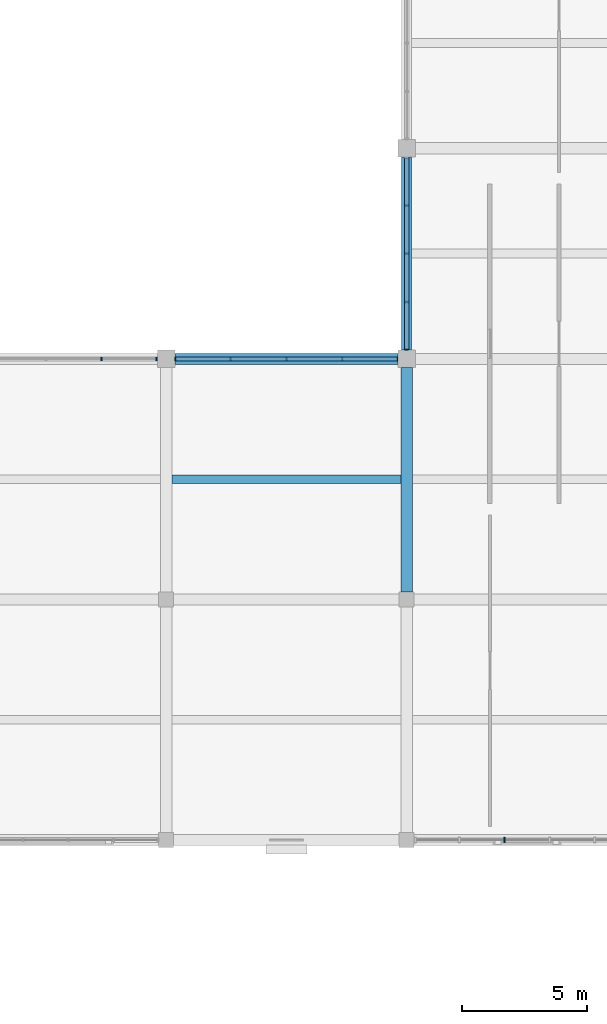
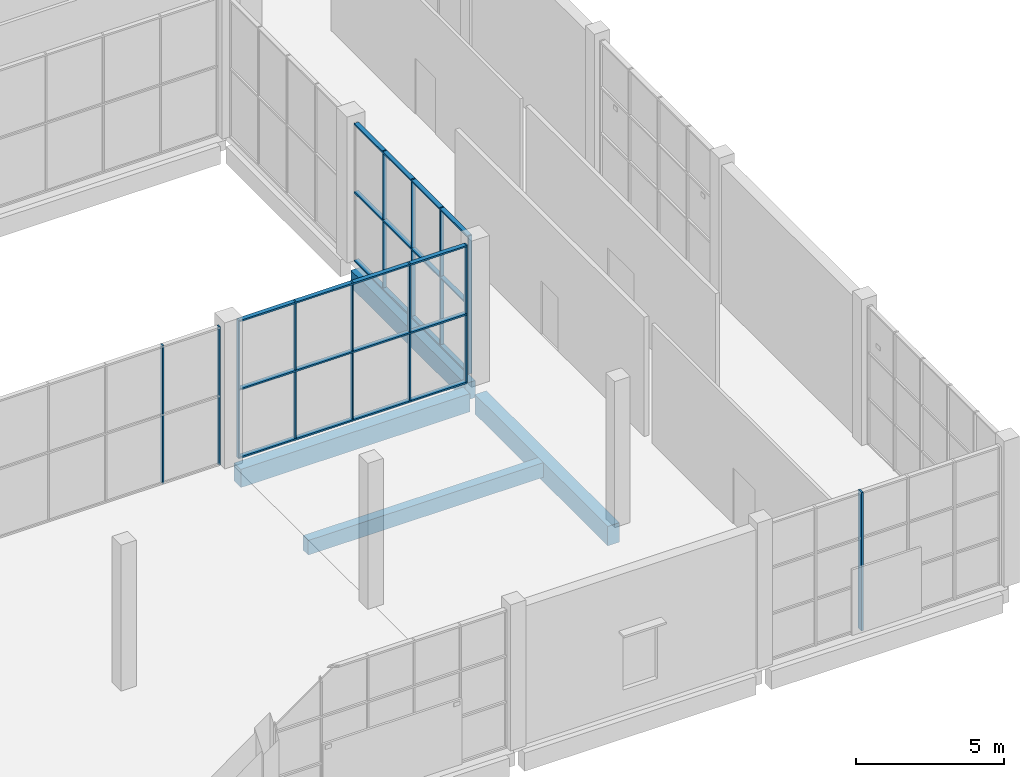
# One storey, part 20 of 84: 18 members, 4 beams, 4 elements without a shape of their own.
"""IFC4 building model written with IfcOpenShell, lengths in metres."""

from ifc_helpers import new_model, si_unit, direction, frame, origin, origin_2d, place, context, subcontext, project, spatial, rectangle, extrude, material, material_profile, profile_set, type_object, element, aggregate, save


model = new_model("IFC4")

# Units and contexts
model_context = context("Model", 3, precision=1e-05, world=origin(), true_north=direction((0.0, 1.0)))
body_context = subcontext(model_context, "Body", "Model", "MODEL_VIEW")
ifc_project = project(units=[si_unit("LENGTHUNIT", "METRE"), si_unit("AREAUNIT", "SQUARE_METRE"), si_unit("VOLUMEUNIT", "CUBIC_METRE"), si_unit("PLANEANGLEUNIT", "RADIAN"), si_unit("MASSUNIT", "GRAM", prefix="KILO")], contexts=[model_context])

# Site, building, storey
site_placement = place(None, origin())
site = spatial("IfcSite", under=ifc_project, at=site_placement, CompositionType="ELEMENT")
building_placement = place(site_placement, origin())
building = spatial("IfcBuilding", under=site, at=building_placement, Name="Shalvenor Court Art Gallery", CompositionType="ELEMENT")
storey_placement = place(building_placement, origin())
storey = spatial("IfcBuildingStorey", under=building, at=storey_placement, Name="L00", CompositionType="ELEMENT", Elevation=0.0)

# Beams
ifc_material_1 = material(Name="Concrete C40/50", Category="concrete")
ifc_material_profile_1 = material_profile(ifc_material_1, rectangle(XDim=0.449951171875, YDim=0.800048828125, at=origin_2d()), Name="RC 450x800")
ifc_profile_set_1 = profile_set([ifc_material_profile_1], Name="Concrete C40/50")
beam_type_1 = type_object("IfcBeamType", Name="B-03", PredefinedType="BEAM", material=ifc_profile_set_1)
beam_1_placement = place(storey_placement, frame((28.800048828125, 79.5, -0.739990234375), z_axis=(0.0, 1.0, 0.0), x_axis=(-1.0, 0.0, 0.0)))
element("IfcBeam", 1, at=beam_1_placement, inside=storey, type_object=beam_type_1, Name="L00 Girder BM-L00-B-03-0027", PredefinedType="BEAM", context=body_context, shape_type="SweptSolid", body=[
    extrude(rectangle(XDim=0.449951171875, YDim=0.800048828125, at=origin_2d()), origin(), (0.0, 0.0, 1.0), 8.949951171875),
])
ifc_material_2 = material(Name="Concrete C40/50", Category="concrete")
ifc_material_profile_2 = material_profile(ifc_material_2, rectangle(XDim=0.449951171875, YDim=0.75, at=origin_2d()), Name="RC 450x750")
ifc_profile_set_2 = profile_set([ifc_material_profile_2], Name="Concrete C40/50")
beam_type_2 = type_object("IfcBeamType", Name="B-04", PredefinedType="BEAM", material=ifc_profile_set_2)
beam_2_placement = place(storey_placement, frame((19.550048828125, 88.800048828125, -0.715087890625), z_axis=(1.0, 0.0, 0.0), x_axis=(0.0, 1.0, 0.0)))
element("IfcBeam", 2, at=beam_2_placement, inside=storey, type_object=beam_type_2, Name="L00 Girder BM-L00-B-04-0230", PredefinedType="BEAM", context=body_context, shape_type="SweptSolid", body=[
    extrude(rectangle(XDim=0.449951171875, YDim=0.75, at=origin_2d()), origin(), (0.0, 0.0, 1.0), 8.89990234375),
])
ifc_material_3 = material(Name="Concrete C40/50", Category="concrete")
ifc_material_profile_3 = material_profile(ifc_material_3, rectangle(XDim=0.39990234375, YDim=0.699951171875, at=origin_2d()), Name="RC 400x700")
ifc_profile_set_3 = profile_set([ifc_material_profile_3], Name="Concrete C40/50")
beam_type_3 = type_object("IfcBeamType", Name="B-05", PredefinedType="BEAM", material=ifc_profile_set_3)
beam_3_placement = place(storey_placement, frame((28.800048828125, 89.14990234375, -0.68994140625), z_axis=(0.0, 1.0, 0.0), x_axis=(-1.0, 0.0, 0.0)))
element("IfcBeam", 3, at=beam_3_placement, inside=storey, type_object=beam_type_3, Name="L00 Girder BM-L00-B-05-0028", PredefinedType="BEAM", context=body_context, shape_type="SweptSolid", body=[
    extrude(rectangle(XDim=0.39990234375, YDim=0.699951171875, at=origin_2d()), origin(), (0.0, 0.0, 1.0), 7.7001953125),
])

# Curtain wall, member
ifc_material_4 = material(Name="Anodised aluminium and low-iron glass curtain wall", Category="aluminium")
curtain_wall_type_1 = type_object("IfcCurtainWallType", Name="CW-5x3-90-57-421", PredefinedType="USERDEFINED", material=ifc_material_4)
curtain_wall_1_placement = place(storey_placement, origin())
curtain_wall_1 = element("IfcCurtainWall", 4, at=curtain_wall_1_placement, inside=storey, type_object=curtain_wall_type_1, Name="L00 V5 Curtain Wall CW-L00-154", ObjectType="CURTAIN WALL", PredefinedType="USERDEFINED")
ifc_material_5 = material(Name="Anodised aluminium mullion", Category="aluminium")
ifc_material_profile_4 = material_profile(ifc_material_5, rectangle(XDim=0.074951171875, YDim=0.219970703125, at=origin_2d()), Name="CWM-04")
ifc_profile_set_4 = profile_set([ifc_material_profile_4], Name="Anodised aluminium mullion")
member_type_1 = type_object("IfcMemberType", Name="CWM-04", PredefinedType="MULLION", material=ifc_profile_set_4)
member_1_placement = place(storey_placement, frame((32.699951171875, 69.60009765625, 0.0), z_axis=(0.0, 0.0, 1.0), x_axis=(-1.0, 0.0, 0.0)))
member_1 = element("IfcMember", 5, at=member_1_placement, type_object=member_type_1, Name="CW-5x3-90-57-421 mullion 4", PredefinedType="MULLION", context=body_context, shape_type="SweptSolid", body=[
    extrude(rectangle(XDim=0.074951171875, YDim=0.219970703125, at=origin_2d()), origin(), (0.0, 0.0, 1.0), 5.679931640625),
])
aggregate(curtain_wall_1, [member_1])

# Curtain wall, members
ifc_material_6 = material(Name="Anodised aluminium and low-iron glass curtain wall", Category="aluminium")
curtain_wall_type_2 = type_object("IfcCurtainWallType", Name="CW-CT-4-89", PredefinedType="USERDEFINED", material=ifc_material_6)
curtain_wall_2_placement = place(storey_placement, origin())
curtain_wall_2 = element("IfcCurtainWall", 6, at=curtain_wall_2_placement, inside=storey, type_object=curtain_wall_type_2, Name="L00 Studios Courtyard Curtain Wall CW-CRT-L00-159", ObjectType="CURTAIN WALL", PredefinedType="USERDEFINED")
ifc_material_7 = material(Name="Anodised aluminium mullion", Category="aluminium")
ifc_material_profile_5 = material_profile(ifc_material_7, rectangle(XDim=0.054931640625, YDim=0.139892578125, at=origin_2d()), Name="CWM-06")
ifc_profile_set_5 = profile_set([ifc_material_profile_5], Name="Anodised aluminium mullion")
member_type_2 = type_object("IfcMemberType", Name="CWM-06", PredefinedType="MULLION", material=ifc_profile_set_5)
member_2_placement = place(storey_placement, frame((16.625, 88.800048828125, 0.0), z_axis=(0.0, 0.0, 1.0), x_axis=(1.0, 0.0, 0.0)))
member_2 = element("IfcMember", 7, at=member_2_placement, type_object=member_type_2, Name="CW-CT-4-89 mullion 4", PredefinedType="MULLION", context=body_context, shape_type="SweptSolid", body=[
    extrude(rectangle(XDim=0.054931640625, YDim=0.139892578125, at=origin_2d()), origin(), (0.0, 0.0, 1.0), 5.679931640625),
])
member_3_placement = place(storey_placement, frame((18.822509765625, 88.800048828125, 0.0), z_axis=(0.0, 0.0, 1.0), x_axis=(1.0, 0.0, 0.0)))
member_3 = element("IfcMember", 8, at=member_3_placement, type_object=member_type_2, Name="CW-CT-4-89 mullion 5", PredefinedType="MULLION", context=body_context, shape_type="SweptSolid", body=[
    extrude(rectangle(XDim=0.054931640625, YDim=0.139892578125, at=origin_2d()), origin(), (0.0, 0.0, 1.0), 5.679931640625),
])
aggregate(curtain_wall_2, [member_2, member_3])

curtain_wall_3_placement = place(storey_placement, origin())
curtain_wall_3 = element("IfcCurtainWall", 9, at=curtain_wall_3_placement, inside=storey, type_object=curtain_wall_type_2, Name="L00 Studios Courtyard Curtain Wall CW-CRT-L00-160", ObjectType="CURTAIN WALL", PredefinedType="USERDEFINED")
member_4_placement = place(storey_placement, frame((19.577392578125, 88.800048828125, 0.0), z_axis=(0.0, 0.0, 1.0), x_axis=(1.0, 0.0, 0.0)))
member_4 = element("IfcMember", 10, at=member_4_placement, type_object=member_type_2, Name="CW-CT-4-89 mullion 1", PredefinedType="MULLION", context=body_context, shape_type="SweptSolid", body=[
    extrude(rectangle(XDim=0.054931640625, YDim=0.139892578125, at=origin_2d()), origin(), (0.0, 0.0, 1.0), 5.679931640625),
])
member_5_placement = place(storey_placement, frame((21.77490234375, 88.800048828125, 0.0), z_axis=(0.0, 0.0, 1.0), x_axis=(1.0, 0.0, 0.0)))
member_5 = element("IfcMember", 11, at=member_5_placement, type_object=member_type_2, Name="CW-CT-4-89 mullion 2", PredefinedType="MULLION", context=body_context, shape_type="SweptSolid", body=[
    extrude(rectangle(XDim=0.054931640625, YDim=0.139892578125, at=origin_2d()), origin(), (0.0, 0.0, 1.0), 5.679931640625),
])
member_6_placement = place(storey_placement, frame((24.0, 88.800048828125, 0.0), z_axis=(0.0, 0.0, 1.0), x_axis=(1.0, 0.0, 0.0)))
member_6 = element("IfcMember", 12, at=member_6_placement, type_object=member_type_2, Name="CW-CT-4-89 mullion 3", PredefinedType="MULLION", context=body_context, shape_type="SweptSolid", body=[
    extrude(rectangle(XDim=0.054931640625, YDim=0.139892578125, at=origin_2d()), origin(), (0.0, 0.0, 1.0), 5.679931640625),
])
member_7_placement = place(storey_placement, frame((26.22509765625, 88.800048828125, 0.0), z_axis=(0.0, 0.0, 1.0), x_axis=(1.0, 0.0, 0.0)))
member_7 = element("IfcMember", 13, at=member_7_placement, type_object=member_type_2, Name="CW-CT-4-89 mullion 4", PredefinedType="MULLION", context=body_context, shape_type="SweptSolid", body=[
    extrude(rectangle(XDim=0.054931640625, YDim=0.139892578125, at=origin_2d()), origin(), (0.0, 0.0, 1.0), 5.679931640625),
])
member_8_placement = place(storey_placement, frame((28.422607421875, 88.800048828125, 0.0), z_axis=(0.0, 0.0, 1.0), x_axis=(1.0, 0.0, 0.0)))
member_8 = element("IfcMember", 14, at=member_8_placement, type_object=member_type_2, Name="CW-CT-4-89 mullion 5", PredefinedType="MULLION", context=body_context, shape_type="SweptSolid", body=[
    extrude(rectangle(XDim=0.054931640625, YDim=0.139892578125, at=origin_2d()), origin(), (0.0, 0.0, 1.0), 5.679931640625),
])

ifc_material_8 = material(Name="Anodised aluminium and low-iron glass curtain wall", Category="aluminium")
curtain_wall_type_3 = type_object("IfcCurtainWallType", Name="CW-CT-4-77", PredefinedType="USERDEFINED", material=ifc_material_8)
curtain_wall_4_placement = place(storey_placement, origin())
curtain_wall_4 = element("IfcCurtainWall", 15, at=curtain_wall_4_placement, inside=storey, type_object=curtain_wall_type_3, Name="L00 Studios Courtyard Curtain Wall CW-CRT-L00-161", ObjectType="CURTAIN WALL", PredefinedType="USERDEFINED")
member_9_placement = place(storey_placement, frame((28.800048828125, 89.177490234375, 0.0), z_axis=(0.0, 0.0, 1.0), x_axis=(0.0, 1.0, 0.0)))
member_9 = element("IfcMember", 16, at=member_9_placement, type_object=member_type_2, Name="CW-CT-4-77 mullion 1", PredefinedType="MULLION", context=body_context, shape_type="SweptSolid", body=[
    extrude(rectangle(XDim=0.054931640625, YDim=0.139892578125, at=origin_2d()), origin(), (0.0, 0.0, 1.0), 5.679931640625),
])
member_10_placement = place(storey_placement, frame((28.800048828125, 91.074951171875, 0.0), z_axis=(0.0, 0.0, 1.0), x_axis=(0.0, 1.0, 0.0)))
member_10 = element("IfcMember", 17, at=member_10_placement, type_object=member_type_2, Name="CW-CT-4-77 mullion 2", PredefinedType="MULLION", context=body_context, shape_type="SweptSolid", body=[
    extrude(rectangle(XDim=0.054931640625, YDim=0.139892578125, at=origin_2d()), origin(), (0.0, 0.0, 1.0), 5.679931640625),
])
member_11_placement = place(storey_placement, frame((28.800048828125, 93.0, 0.0), z_axis=(0.0, 0.0, 1.0), x_axis=(0.0, 1.0, 0.0)))
member_11 = element("IfcMember", 18, at=member_11_placement, type_object=member_type_2, Name="CW-CT-4-77 mullion 3", PredefinedType="MULLION", context=body_context, shape_type="SweptSolid", body=[
    extrude(rectangle(XDim=0.054931640625, YDim=0.139892578125, at=origin_2d()), origin(), (0.0, 0.0, 1.0), 5.679931640625),
])
member_12_placement = place(storey_placement, frame((28.800048828125, 94.925048828125, 0.0), z_axis=(0.0, 0.0, 1.0), x_axis=(0.0, 1.0, 0.0)))
member_12 = element("IfcMember", 19, at=member_12_placement, type_object=member_type_2, Name="CW-CT-4-77 mullion 4", PredefinedType="MULLION", context=body_context, shape_type="SweptSolid", body=[
    extrude(rectangle(XDim=0.054931640625, YDim=0.139892578125, at=origin_2d()), origin(), (0.0, 0.0, 1.0), 5.679931640625),
])

# Member
ifc_material_9 = material(Name="Anodised aluminium transom", Category="aluminium")
ifc_material_profile_6 = material_profile(ifc_material_9, rectangle(XDim=0.169921875, YDim=0.06494140625, at=origin_2d()), Name="CWT-02")
ifc_profile_set_6 = profile_set([ifc_material_profile_6], Name="Anodised aluminium transom")
member_type_3 = type_object("IfcMemberType", Name="CWT-02", PredefinedType="USERDEFINED", material=ifc_profile_set_6)
member_13_placement = place(storey_placement, frame((19.577392578125, 88.800048828125, 0.032470703125), z_axis=(1.0, 0.0, 0.0), x_axis=(0.0, 1.0, 0.0)))
member_13 = element("IfcMember", 20, at=member_13_placement, type_object=member_type_3, Name="CW-CT-4-89 transom 1", ObjectType="TRANSOM", PredefinedType="USERDEFINED", context=body_context, shape_type="SweptSolid", body=[
    extrude(rectangle(XDim=0.169921875, YDim=0.06494140625, at=origin_2d()), origin(), (0.0, 0.0, 1.0), 8.84521484375),
])

member_14_placement = place(storey_placement, frame((19.577392578125, 88.800048828125, 2.840087890625), z_axis=(1.0, 0.0, 0.0), x_axis=(0.0, 1.0, 0.0)))
member_14 = element("IfcMember", 21, at=member_14_placement, type_object=member_type_3, Name="CW-CT-4-89 transom 2", ObjectType="TRANSOM", PredefinedType="USERDEFINED", context=body_context, shape_type="SweptSolid", body=[
    extrude(rectangle(XDim=0.169921875, YDim=0.06494140625, at=origin_2d()), origin(), (0.0, 0.0, 1.0), 8.84521484375),
])

member_15_placement = place(storey_placement, frame((19.577392578125, 88.800048828125, 5.6474609375), z_axis=(1.0, 0.0, 0.0), x_axis=(0.0, 1.0, 0.0)))
member_15 = element("IfcMember", 22, at=member_15_placement, type_object=member_type_3, Name="CW-CT-4-89 transom 3", ObjectType="TRANSOM", PredefinedType="USERDEFINED", context=body_context, shape_type="SweptSolid", body=[
    extrude(rectangle(XDim=0.169921875, YDim=0.06494140625, at=origin_2d()), origin(), (0.0, 0.0, 1.0), 8.84521484375),
])

aggregate(curtain_wall_3, [member_4, member_5, member_6, member_7, member_8, member_13, member_14, member_15])

member_16_placement = place(storey_placement, frame((28.800048828125, 89.177490234375, 0.032470703125), z_axis=(0.0, 1.0, 0.0), x_axis=(-1.0, 0.0, 0.0)))
member_16 = element("IfcMember", 23, at=member_16_placement, type_object=member_type_3, Name="CW-CT-4-77 transom 1", ObjectType="TRANSOM", PredefinedType="USERDEFINED", context=body_context, shape_type="SweptSolid", body=[
    extrude(rectangle(XDim=0.169921875, YDim=0.06494140625, at=origin_2d()), origin(), (0.0, 0.0, 1.0), 7.64501953125),
])

member_17_placement = place(storey_placement, frame((28.800048828125, 89.177490234375, 2.840087890625), z_axis=(0.0, 1.0, 0.0), x_axis=(-1.0, 0.0, 0.0)))
member_17 = element("IfcMember", 24, at=member_17_placement, type_object=member_type_3, Name="CW-CT-4-77 transom 2", ObjectType="TRANSOM", PredefinedType="USERDEFINED", context=body_context, shape_type="SweptSolid", body=[
    extrude(rectangle(XDim=0.169921875, YDim=0.06494140625, at=origin_2d()), origin(), (0.0, 0.0, 1.0), 7.64501953125),
])

member_18_placement = place(storey_placement, frame((28.800048828125, 89.177490234375, 5.6474609375), z_axis=(0.0, 1.0, 0.0), x_axis=(-1.0, 0.0, 0.0)))
member_18 = element("IfcMember", 25, at=member_18_placement, type_object=member_type_3, Name="CW-CT-4-77 transom 3", ObjectType="TRANSOM", PredefinedType="USERDEFINED", context=body_context, shape_type="SweptSolid", body=[
    extrude(rectangle(XDim=0.169921875, YDim=0.06494140625, at=origin_2d()), origin(), (0.0, 0.0, 1.0), 7.64501953125),
])

aggregate(curtain_wall_4, [member_9, member_10, member_11, member_12, member_16, member_17, member_18])

# Beam
ifc_material_10 = material(Name="Concrete C40/50", Category="concrete")
ifc_material_profile_7 = material_profile(ifc_material_10, rectangle(XDim=0.35009765625, YDim=0.60009765625, at=origin_2d()), Name="RC 350x600")
ifc_profile_set_7 = profile_set([ifc_material_profile_7], Name="Concrete C40/50")
beam_type_4 = type_object("IfcBeamType", Name="J-01", PredefinedType="JOIST", material=ifc_profile_set_7)
beam_4_placement = place(storey_placement, frame((19.425048828125, 84.0, -0.639892578125), z_axis=(1.0, 0.0, 0.0), x_axis=(0.0, 1.0, 0.0)))
element("IfcBeam", 26, at=beam_4_placement, inside=storey, type_object=beam_type_4, Name="L00 Secondary Beam JST-L00-J-01-0293", PredefinedType="JOIST", context=body_context, shape_type="SweptSolid", body=[
    extrude(rectangle(XDim=0.35009765625, YDim=0.60009765625, at=origin_2d()), origin(), (0.0, 0.0, 1.0), 9.14990234375),
])

save(model, "model.ifc")
